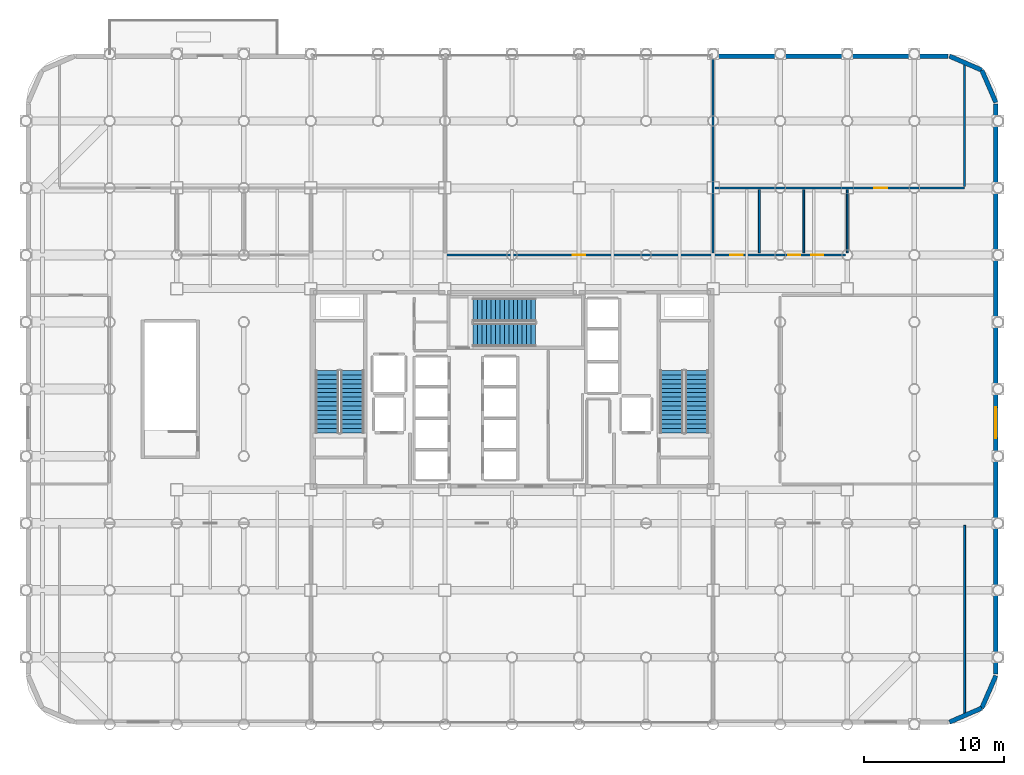
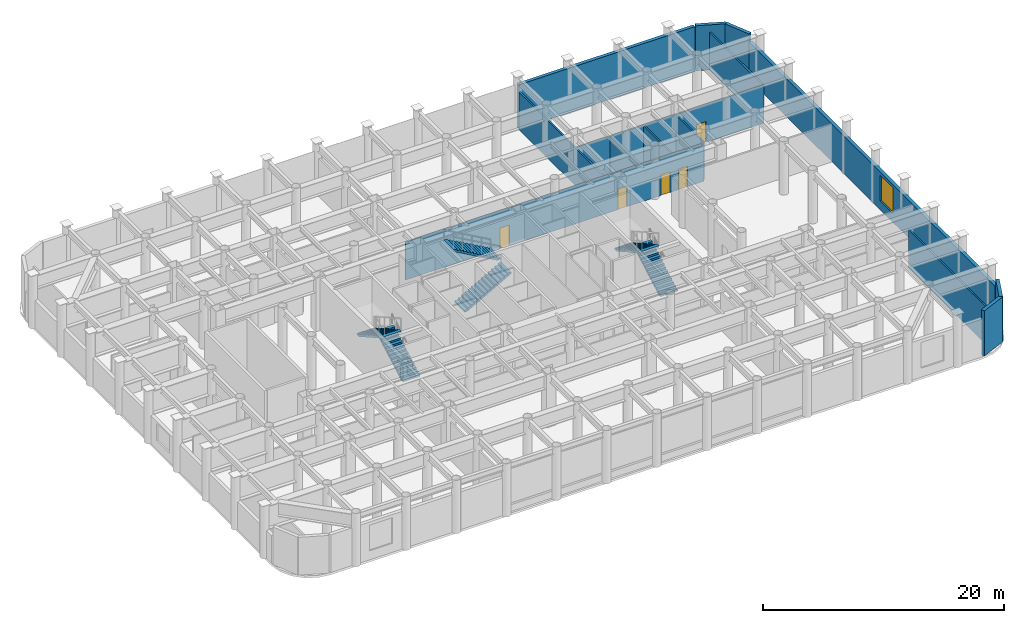
# One storey, part 17 of 20: 14 walls, 6 stair flights, 5 doors, 1 window, 6 openings, 3 elements without a shape of their own.
"""IFC4 building model written with IfcOpenShell, lengths in metres."""

from ifc_helpers import new_model, si_unit, direction, frame, frame_2d, origin, place, context, subcontext, project, spatial, polyline, rectangle, outline, extrude, material, layer, layer_set, type_object, element, fill, aggregate, save


model = new_model("IFC4")

# Units and contexts
model_context = context("Model", 3, precision=1e-05, world=origin(), true_north=direction((0.0, 1.0)))
body_context = subcontext(model_context, "Body", "Model", "MODEL_VIEW")
ifc_project = project(units=[si_unit("LENGTHUNIT", "METRE"), si_unit("AREAUNIT", "SQUARE_METRE"), si_unit("VOLUMEUNIT", "CUBIC_METRE"), si_unit("PLANEANGLEUNIT", "RADIAN"), si_unit("MASSUNIT", "GRAM", prefix="KILO")], contexts=[model_context])

# Site, building, storey
site_placement = place(None, origin())
site = spatial("IfcSite", under=ifc_project, at=site_placement, CompositionType="ELEMENT")
building_placement = place(site_placement, origin())
building = spatial("IfcBuilding", under=site, at=building_placement, Name="Kallvorn Hotel Tower", CompositionType="ELEMENT")
storey_placement = place(building_placement, frame((0.0, 0.0, 24.60009765625)))
storey = spatial("IfcBuildingStorey", under=building, at=storey_placement, Name="L04", CompositionType="ELEMENT", Elevation=24.60009765625)

# Wall
ifc_material_1 = material(Name="Precast basalt-clad insulated concrete wall C40/50", Category="masonry")
ifc_layer_1 = layer(ifc_material_1, 0.320068359375)
ifc_layer_set_1 = layer_set([ifc_layer_1], Name="WL_EXT_BAY_320")
wall_type_1 = type_object("IfcWallType", Name="WL_EXT_BAY_320", PredefinedType="SOLIDWALL", material=ifc_layer_set_1)
wall_1_placement = place(storey_placement, frame((14.35009765625, 23.840087890625, 0.0), z_axis=(0.0, 0.0, 1.0), x_axis=(1.0, 0.0, 0.0)))
element("IfcWall", 1, at=wall_1_placement, inside=storey, type_object=wall_type_1, Name="L04 Podium Exterior Wall EW-L04-NE", PredefinedType="SOLIDWALL", context=body_context, shape_type="SweptSolid", body=[
    extrude(rectangle(XDim=16.849853515625, YDim=0.320068359375, at=frame_2d((8.4248046875, 0.0))), origin(), (0.0, 0.0, 1.0), 4.52001953125),
])

# Wall, opening, window
wall_2_placement = place(storey_placement, frame((34.639892578125, 20.39990234375, 0.0), z_axis=(0.0, 0.0, 1.0), x_axis=(0.0, -1.0, 0.0)))
wall_2 = element("IfcWall", 2, at=wall_2_placement, inside=storey, type_object=wall_type_1, Name="L04 Podium Exterior Wall EW-L04-E", PredefinedType="SOLIDWALL", context=body_context, shape_type="SweptSolid", body=[
    extrude(rectangle(XDim=40.7998046875, YDim=0.320068359375, at=frame_2d((20.39990234375, 0.0))), origin(), (0.0, 0.0, 1.0), 3.81982421875),
])
opening_1_placement = place(wall_2_placement, frame((21.699951171875, 0.0, 0.89990234375)))
opening_1 = element("IfcOpeningElement", 3, at=opening_1_placement, cuts=wall_2, Name="Opening W03", PredefinedType="OPENING", context=body_context, shape_type="SweptSolid", body=[
    extrude(rectangle(XDim=2.199951171875, YDim=2.60009765625, at=frame_2d((1.10009765625, 1.300048828125))), frame((0.0, 0.175048828125, 0.0), z_axis=(0.0, -1.0, 0.0), x_axis=(1.0, 0.0, 0.0)), (0.0, 0.0, 1.0), 0.35009765625),
])
ifc_material_2 = material(Name="Double-glazed low-e solar-control dark glass", Category="glass")
window_type = type_object("IfcWindowType", Name="WN_CASC_2200x2600", PartitioningType="SINGLE_PANEL", PredefinedType="WINDOW", material=ifc_material_2)
window_placement = place(opening_1_placement, origin())
window = element("IfcWindow", 4, at=window_placement, inside=storey, type_object=window_type, Name="L04 Podium Window EW-L04-E", OverallHeight=2.60009765625, OverallWidth=2.199951171875, PartitioningType="SINGLE_PANEL", PredefinedType="WINDOW", context=body_context, shape_type="SweptSolid", body=[
    extrude(rectangle(XDim=2.199951171875, YDim=2.60009765625, at=frame_2d((1.10009765625, 1.300048828125))), frame((0.0, 0.030029296875, 0.0), z_axis=(0.0, -1.0, 0.0), x_axis=(1.0, 0.0, 0.0)), (0.0, 0.0, 1.0), 0.06005859375),
])
fill(opening_1, window)

# Walls
wall_3_placement = place(storey_placement, frame((31.320068359375, -23.837890625, 0.0), z_axis=(0.0, 0.0, 1.0), x_axis=(0.917063898521, 0.3987402739, 0.0)))
element("IfcWall", 5, at=wall_3_placement, inside=storey, type_object=wall_type_1, Name="L04 Rounded Corner Exterior Wall SE1", PredefinedType="SOLIDWALL", context=body_context, shape_type="SweptSolid", body=[
    extrude(rectangle(XDim=2.521484375, YDim=0.320068359375, at=frame_2d((1.2607421875, 0.0))), origin(), (0.0, 0.0, 1.0), 4.56982421875),
])
for number, where, z_axis, x_axis, name in (
    (6, (33.63232421875, -22.83251953125, 0.0), (0.0, 0.0, 1.0), (0.398786293654, 0.917043887714, 0.0), "L04 Rounded Corner Exterior Wall SE2"),
    (7, (34.637939453125, 20.52001953125, 0.0), (0.0, 0.0, 1.0), (-0.398786293654, 0.917043887714, 0.0), "L04 Rounded Corner Exterior Wall NE1"),
):
    element("IfcWall", number, at=place(storey_placement, frame(where, z_axis=z_axis, x_axis=x_axis)), inside=storey, type_object=wall_type_1, Name=name, PredefinedType="SOLIDWALL", context=body_context, shape_type="SweptSolid", body=[
        extrude(rectangle(XDim=2.521728515625, YDim=0.320068359375, at=frame_2d((1.2607421875, 0.0))), origin(), (0.0, 0.0, 1.0), 4.56982421875),
    ])
wall_4_placement = place(storey_placement, frame((33.63232421875, 22.83251953125, 0.0), z_axis=(0.0, 0.0, 1.0), x_axis=(-0.917063898521, 0.3987402739, 0.0)))
element("IfcWall", 8, at=wall_4_placement, inside=storey, type_object=wall_type_1, Name="L04 Rounded Corner Exterior Wall NE2", PredefinedType="SOLIDWALL", context=body_context, shape_type="SweptSolid", body=[
    extrude(rectangle(XDim=2.521484375, YDim=0.320068359375, at=frame_2d((1.2607421875, 0.0))), origin(), (0.0, 0.0, 1.0), 4.56982421875),
])

# Wall, openings, doors
ifc_material_3 = material(Name="Fire-rated double-layer acoustic gypsum drywall EI 60")
ifc_layer_2 = layer(ifc_material_3, 0.14990234375)
ifc_layer_set_2 = layer_set([ifc_layer_2], Name="WL_PART_150")
wall_type_2 = type_object("IfcWallType", Name="WL_PART_150", PredefinedType="PARTITIONING", material=ifc_layer_set_2)
wall_5_placement = place(storey_placement, frame((-4.679931640625, 9.60009765625, 0.0), z_axis=(0.0, 0.0, 1.0), x_axis=(1.0, 0.0, 0.0)))
wall_5 = element("IfcWall", 9, at=wall_5_placement, inside=storey, type_object=wall_type_2, Name="L04 Yoga and Movement Gymnasium Partition", PredefinedType="PARTITIONING", context=body_context, shape_type="SweptSolid", body=[
    extrude(rectangle(XDim=28.559814453125, YDim=0.14990234375, at=frame_2d((14.27978515625, 0.0))), origin(), (0.0, 0.0, 1.0), 3.81982421875),
])
opening_2_placement = place(wall_5_placement, frame((9.030029296875, 0.0, 0.0)))
opening_2 = element("IfcOpeningElement", 10, at=opening_2_placement, cuts=wall_5, Name="Opening SVD1", PredefinedType="OPENING", context=body_context, shape_type="SweptSolid", body=[
    extrude(rectangle(XDim=0.89990234375, YDim=2.10009765625, at=frame_2d((0.449951171875, 1.050048828125))), frame((0.0, 0.08984375, 0.0), z_axis=(0.0, -1.0, 0.0), x_axis=(1.0, 0.0, 0.0)), (0.0, 0.0, 1.0), 0.179931640625),
])
opening_3_placement = place(wall_5_placement, frame((20.321044921875, 0.0, 0.0)))
opening_3 = element("IfcOpeningElement", 11, at=opening_3_placement, cuts=wall_5, Name="Opening BD-I", PredefinedType="OPENING", context=body_context, shape_type="SweptSolid", body=[
    extrude(rectangle(XDim=0.860107421875, YDim=2.10009765625, at=frame_2d((0.43017578125, 1.050048828125))), frame((0.0, 0.08984375, 0.0), z_axis=(0.0, -1.0, 0.0), x_axis=(1.0, 0.0, 0.0)), (0.0, 0.0, 1.0), 0.179931640625),
])
opening_4_placement = place(wall_5_placement, frame((24.465087890625, 0.0, 0.0)))
opening_4 = element("IfcOpeningElement", 12, at=opening_4_placement, cuts=wall_5, Name="Opening BD-I", PredefinedType="OPENING", context=body_context, shape_type="SweptSolid", body=[
    extrude(rectangle(XDim=0.860107421875, YDim=2.10009765625, at=frame_2d((0.43017578125, 1.050048828125))), frame((0.0, 0.08984375, 0.0), z_axis=(0.0, -1.0, 0.0), x_axis=(1.0, 0.0, 0.0)), (0.0, 0.0, 1.0), 0.179931640625),
])
opening_5_placement = place(wall_5_placement, frame((26.1005859375, 0.0, 0.0)))
opening_5 = element("IfcOpeningElement", 13, at=opening_5_placement, cuts=wall_5, Name="Opening BD-I", PredefinedType="OPENING", context=body_context, shape_type="SweptSolid", body=[
    extrude(rectangle(XDim=0.860107421875, YDim=2.10009765625, at=frame_2d((0.43017578125, 1.050048828125))), frame((0.0, 0.08984375, 0.0), z_axis=(0.0, -1.0, 0.0), x_axis=(1.0, 0.0, 0.0)), (0.0, 0.0, 1.0), 0.179931640625),
])
ifc_material_4 = material(Name="Solid-core walnut veneer fire-rated timber door leaf", Category="wood")
door_type_1 = type_object("IfcDoorType", Name="DR_BATH_860x2100", OperationType="NOTDEFINED", PredefinedType="DOOR", material=ifc_material_4)
door_1_placement = place(opening_3_placement, origin())
door_1 = element("IfcDoor", 14, at=door_1_placement, inside=storey, type_object=door_type_1, Name="L04 Public Male Restroom WC Door", OperationType="SINGLE_SWING_RIGHT", OverallHeight=2.10009765625, OverallWidth=0.860107421875, PredefinedType="DOOR", context=body_context, shape_type="SweptSolid", body=[
    extrude(rectangle(XDim=0.860107421875, YDim=2.10009765625, at=frame_2d((0.43017578125, 1.050048828125))), frame((0.0, 0.02490234375, 0.0), z_axis=(0.0, -1.0, 0.0), x_axis=(1.0, 0.0, 0.0)), (0.0, 0.0, 1.0), 0.050048828125),
])
fill(opening_3, door_1)
door_2_placement = place(opening_4_placement, origin())
door_2 = element("IfcDoor", 15, at=door_2_placement, inside=storey, type_object=door_type_1, Name="L04 Public Female Restroom WC Door", OperationType="SINGLE_SWING_LEFT", OverallHeight=2.10009765625, OverallWidth=0.860107421875, PredefinedType="DOOR", context=body_context, shape_type="SweptSolid", body=[
    extrude(rectangle(XDim=0.860107421875, YDim=2.10009765625, at=frame_2d((0.43017578125, 1.050048828125))), frame((0.0, 0.02490234375, 0.0), z_axis=(0.0, -1.0, 0.0), x_axis=(1.0, 0.0, 0.0)), (0.0, 0.0, 1.0), 0.050048828125),
])
fill(opening_4, door_2)
door_3_placement = place(opening_5_placement, origin())
door_3 = element("IfcDoor", 16, at=door_3_placement, inside=storey, type_object=door_type_1, Name="L04 Accessible Restroom WC Door", OperationType="SINGLE_SWING_RIGHT", OverallHeight=2.10009765625, OverallWidth=0.860107421875, PredefinedType="DOOR", context=body_context, shape_type="SweptSolid", body=[
    extrude(rectangle(XDim=0.860107421875, YDim=2.10009765625, at=frame_2d((0.43017578125, 1.050048828125))), frame((0.0, 0.02490234375, 0.0), z_axis=(0.0, -1.0, 0.0), x_axis=(1.0, 0.0, 0.0)), (0.0, 0.0, 1.0), 0.050048828125),
])
fill(opening_5, door_3)
ifc_material_5 = material(Name="Galvanised painted steel fire-rated door assembly", Category="steel")
door_type_2 = type_object("IfcDoorType", Name="DR_SERV_900x2100", OperationType="NOTDEFINED", PredefinedType="DOOR", material=ifc_material_5)
door_4_placement = place(opening_2_placement, origin())
door_4 = element("IfcDoor", 17, at=door_4_placement, inside=storey, type_object=door_type_2, Name="L04 Yoga and Movement Gymnasium Door", OperationType="SINGLE_SWING_RIGHT", OverallHeight=2.10009765625, OverallWidth=0.89990234375, PredefinedType="DOOR", context=body_context, shape_type="SweptSolid", body=[
    extrude(rectangle(XDim=0.89990234375, YDim=2.10009765625, at=frame_2d((0.449951171875, 1.050048828125))), frame((0.0, 0.02490234375, 0.0), z_axis=(0.0, -1.0, 0.0), x_axis=(1.0, 0.0, 0.0)), (0.0, 0.0, 1.0), 0.050048828125),
])
fill(opening_2, door_4)

# Wall, opening, door
wall_6_placement = place(storey_placement, frame((14.52001953125, 14.39990234375, 0.0), z_axis=(0.0, 0.0, 1.0), x_axis=(1.0, 0.0, 0.0)))
wall_6 = element("IfcWall", 18, at=wall_6_placement, inside=storey, type_object=wall_type_2, Name="L04 Spa Linen and Aromatherapy Store Partition", PredefinedType="PARTITIONING", context=body_context, shape_type="SweptSolid", body=[
    extrude(rectangle(XDim=17.8798828125, YDim=0.14990234375, at=frame_2d((8.93994140625, 0.0))), origin(), (0.0, 0.0, 1.0), 3.81982421875),
])
opening_6_placement = place(wall_6_placement, frame((11.429931640625, 0.0, 0.0)))
opening_6 = element("IfcOpeningElement", 19, at=opening_6_placement, cuts=wall_6, Name="Opening SVD1", PredefinedType="OPENING", context=body_context, shape_type="SweptSolid", body=[
    extrude(rectangle(XDim=0.89990234375, YDim=2.10009765625, at=frame_2d((0.449951171875, 1.050048828125))), frame((0.0, 0.08984375, 0.0), z_axis=(0.0, -1.0, 0.0), x_axis=(1.0, 0.0, 0.0)), (0.0, 0.0, 1.0), 0.179931640625),
])
door_5_placement = place(opening_6_placement, origin())
door_5 = element("IfcDoor", 20, at=door_5_placement, inside=storey, type_object=door_type_2, Name="L04 Spa Linen and Aromatherapy Store Door", OperationType="SINGLE_SWING_LEFT", OverallHeight=2.10009765625, OverallWidth=0.89990234375, PredefinedType="DOOR", context=body_context, shape_type="SweptSolid", body=[
    extrude(rectangle(XDim=0.89990234375, YDim=2.10009765625, at=frame_2d((0.449951171875, 1.050048828125))), frame((0.0, 0.02490234375, 0.0), z_axis=(0.0, -1.0, 0.0), x_axis=(1.0, 0.0, 0.0)), (0.0, 0.0, 1.0), 0.050048828125),
])
fill(opening_6, door_5)

# Walls
wall_7_placement = place(storey_placement, frame((14.39990234375, 9.75, 0.0), z_axis=(0.0, 0.0, 1.0), x_axis=(0.0, 1.0, 0.0)))
element("IfcWall", 21, at=wall_7_placement, inside=storey, type_object=wall_type_2, Name="L04 Yoga and Movement Gymnasium Partition", PredefinedType="PARTITIONING", context=body_context, shape_type="SweptSolid", body=[
    extrude(rectangle(XDim=13.919921875, YDim=0.14990234375, at=frame_2d((6.9599609375, 0.0))), origin(), (0.0, 0.0, 1.0), 3.81982421875),
])
wall_8_placement = place(storey_placement, frame((32.39990234375, 14.52001953125, 0.0), z_axis=(0.0, 0.0, 1.0), x_axis=(0.0, 1.0, 0.0)))
element("IfcWall", 22, at=wall_8_placement, inside=storey, type_object=wall_type_2, Name="L04 Spa Linen and Aromatherapy Store Partition", PredefinedType="PARTITIONING", context=body_context, shape_type="SweptSolid", body=[
    extrude(rectangle(XDim=8.67822265625, YDim=0.14990234375, at=frame_2d((4.339111328125, 0.0))), origin(), (0.0, 0.0, 1.0), 3.81982421875),
])
ifc_material_6 = material(Name="Moisture-resistant acoustic plumbing chase wall EI 60")
ifc_layer_3 = layer(ifc_material_6, 0.139892578125)
ifc_layer_set_3 = layer_set([ifc_layer_3], Name="WL_PLUMB_140")
wall_type_3 = type_object("IfcWallType", Name="WL_PLUMB_140", PredefinedType="PLUMBINGWALL", material=ifc_layer_set_3)
for number, where, z_axis, x_axis, name in (
    (23, (17.701904296875, 9.75, 0.0), (0.0, 0.0, 1.0), (0.0, 1.0, 0.0), "L04 Public Female Restroom WC Partition"),
    (24, (20.885009765625, 9.75, 0.0), (0.0, 0.0, 1.0), (0.0, 1.0, 0.0), "L04 Accessible Restroom WC Partition"),
    (25, (24.0, 9.75, 0.0), (0.0, 0.0, 1.0), (0.0, 1.0, 0.0), "L04 Accessible Restroom WC Partition"),
):
    element("IfcWall", number, at=place(storey_placement, frame(where, z_axis=z_axis, x_axis=x_axis)), inside=storey, type_object=wall_type_3, Name=name, PredefinedType="PLUMBINGWALL", context=body_context, shape_type="SweptSolid", body=[
        extrude(rectangle(XDim=4.530029296875, YDim=0.139892578125, at=frame_2d((2.26513671875, 0.0))), origin(), (0.0, 0.0, 1.0), 3.81982421875),
    ])
wall_9_placement = place(storey_placement, frame((32.39990234375, -23.1982421875, 0.0), z_axis=(0.0, 0.0, 1.0), x_axis=(0.0, 1.0, 0.0)))
element("IfcWall", 26, at=wall_9_placement, inside=storey, type_object=wall_type_3, Name="L04 Thermal Sauna and Steam Changing Block Partition", PredefinedType="PLUMBINGWALL", context=body_context, shape_type="SweptSolid", body=[
    extrude(rectangle(XDim=13.4482421875, YDim=0.139892578125, at=frame_2d((6.72412109375, 0.0))), origin(), (0.0, 0.0, 1.0), 3.81982421875),
])

# Stair, stair flights
ifc_material_7 = material(Name="Precast concrete C40/50", Category="concrete")
stair_type = type_object("IfcStairType", Name="STR_CORE_DOGLEG", PredefinedType="HALF_TURN_STAIR", material=ifc_material_7)
stair_1_placement = place(storey_placement, origin())
stair_1 = element("IfcStair", 27, at=stair_1_placement, inside=storey, type_object=stair_type, Name="L04 Exit stair ST1", PredefinedType="HALF_TURN_STAIR")
ifc_material_8 = material(Name="Precast concrete C40/50", Category="concrete")
stair_flight_type = type_object("IfcStairFlightType", Name="FLT_CORE_1660", PredefinedType="STRAIGHT", material=ifc_material_8)
stair_flight_1_placement = place(storey_placement, frame((-11.429931640625, -3.139892578125, 0.0), z_axis=(0.0, 0.0, 1.0), x_axis=(0.0, 1.0, 0.0)))
stair_flight_1 = element("IfcStairFlight", 28, at=stair_flight_1_placement, type_object=stair_flight_type, Name="ST1 flight 1", NumberOfRisers=15, NumberOfTreads=14, PredefinedType="STRAIGHT", RiserHeight=0.18, TreadLength=0.32, context=body_context, shape_type="SweptSolid", body=[
    extrude(outline(polyline([(0.0, 0.0), (0.0, 0.179931640625), (0.320068359375, 0.179931640625), (0.320068359375, 0.360107421875), (0.639892578125, 0.360107421875), (0.639892578125, 0.5400390625), (0.9599609375, 0.5400390625), (0.9599609375, 0.719970703125), (1.280029296875, 0.719970703125), (1.280029296875, 0.89990234375), (1.60009765625, 0.89990234375), (1.60009765625, 1.080078125), (1.919921875, 1.080078125), (1.919921875, 1.260009765625), (2.239990234375, 1.260009765625), (2.239990234375, 1.43994140625), (2.56005859375, 1.43994140625), (2.56005859375, 1.6201171875), (2.8798828125, 1.6201171875), (2.8798828125, 1.800048828125), (3.199951171875, 1.800048828125), (3.199951171875, 1.97998046875), (3.52001953125, 1.97998046875), (3.52001953125, 2.159912109375), (3.840087890625, 2.159912109375), (3.840087890625, 2.340087890625), (4.159912109375, 2.340087890625), (4.159912109375, 2.52001953125), (4.47998046875, 2.52001953125), (4.47998046875, 2.699951171875), (4.47998046875, 2.347900390625), (0.3056640625, 0.0), (0.0, 0.0)])), frame((0.0, 0.830078125, 0.0), z_axis=(0.0, -1.0, 0.0), x_axis=(1.0, 0.0, 0.0)), (0.0, 0.0, 1.0), 1.659912109375),
])
stair_flight_2_placement = place(storey_placement, frame((-13.22998046875, 1.340087890625, 2.699951171875), z_axis=(0.0, 0.0, 1.0), x_axis=(0.0, -1.0, 0.0)))
stair_flight_2 = element("IfcStairFlight", 29, at=stair_flight_2_placement, type_object=stair_flight_type, Name="ST1 flight 2", NumberOfRisers=15, NumberOfTreads=14, PredefinedType="STRAIGHT", RiserHeight=0.18, TreadLength=0.32, context=body_context, shape_type="SweptSolid", body=[
    extrude(outline(polyline([(0.0, 0.0), (0.0, 0.179931640625), (0.320068359375, 0.179931640625), (0.320068359375, 0.360107421875), (0.639892578125, 0.360107421875), (0.639892578125, 0.5400390625), (0.9599609375, 0.5400390625), (0.9599609375, 0.719970703125), (1.280029296875, 0.719970703125), (1.280029296875, 0.89990234375), (1.60009765625, 0.89990234375), (1.60009765625, 1.080078125), (1.919921875, 1.080078125), (1.919921875, 1.260009765625), (2.239990234375, 1.260009765625), (2.239990234375, 1.43994140625), (2.56005859375, 1.43994140625), (2.56005859375, 1.6201171875), (2.8798828125, 1.6201171875), (2.8798828125, 1.800048828125), (3.199951171875, 1.800048828125), (3.199951171875, 1.97998046875), (3.52001953125, 1.97998046875), (3.52001953125, 2.159912109375), (3.840087890625, 2.159912109375), (3.840087890625, 2.340087890625), (4.159912109375, 2.340087890625), (4.159912109375, 2.52001953125), (4.47998046875, 2.52001953125), (4.47998046875, 2.699951171875), (4.47998046875, 2.347900390625), (0.3056640625, 0.0), (0.0, 0.0)])), frame((0.0, 0.830078125, 0.0), z_axis=(0.0, -1.0, 0.0), x_axis=(1.0, 0.0, 0.0)), (0.0, 0.0, 1.0), 1.659912109375),
])
aggregate(stair_1, [stair_flight_1, stair_flight_2])

stair_2_placement = place(storey_placement, origin())
stair_2 = element("IfcStair", 30, at=stair_2_placement, inside=storey, type_object=stair_type, Name="L04 Exit stair ST2", PredefinedType="HALF_TURN_STAIR")
stair_flight_3_placement = place(storey_placement, frame((13.22998046875, -3.139892578125, 0.0), z_axis=(0.0, 0.0, 1.0), x_axis=(0.0, 1.0, 0.0)))
stair_flight_3 = element("IfcStairFlight", 31, at=stair_flight_3_placement, type_object=stair_flight_type, Name="ST2 flight 1", NumberOfRisers=15, NumberOfTreads=14, PredefinedType="STRAIGHT", RiserHeight=0.18, TreadLength=0.32, context=body_context, shape_type="SweptSolid", body=[
    extrude(outline(polyline([(0.0, 0.0), (0.0, 0.179931640625), (0.320068359375, 0.179931640625), (0.320068359375, 0.360107421875), (0.639892578125, 0.360107421875), (0.639892578125, 0.5400390625), (0.9599609375, 0.5400390625), (0.9599609375, 0.719970703125), (1.280029296875, 0.719970703125), (1.280029296875, 0.89990234375), (1.60009765625, 0.89990234375), (1.60009765625, 1.080078125), (1.919921875, 1.080078125), (1.919921875, 1.260009765625), (2.239990234375, 1.260009765625), (2.239990234375, 1.43994140625), (2.56005859375, 1.43994140625), (2.56005859375, 1.6201171875), (2.8798828125, 1.6201171875), (2.8798828125, 1.800048828125), (3.199951171875, 1.800048828125), (3.199951171875, 1.97998046875), (3.52001953125, 1.97998046875), (3.52001953125, 2.159912109375), (3.840087890625, 2.159912109375), (3.840087890625, 2.340087890625), (4.159912109375, 2.340087890625), (4.159912109375, 2.52001953125), (4.47998046875, 2.52001953125), (4.47998046875, 2.699951171875), (4.47998046875, 2.347900390625), (0.3056640625, 0.0), (0.0, 0.0)])), frame((0.0, 0.830078125, 0.0), z_axis=(0.0, -1.0, 0.0), x_axis=(1.0, 0.0, 0.0)), (0.0, 0.0, 1.0), 1.659912109375),
])
stair_flight_4_placement = place(storey_placement, frame((11.429931640625, 1.340087890625, 2.699951171875), z_axis=(0.0, 0.0, 1.0), x_axis=(0.0, -1.0, 0.0)))
stair_flight_4 = element("IfcStairFlight", 32, at=stair_flight_4_placement, type_object=stair_flight_type, Name="ST2 flight 2", NumberOfRisers=15, NumberOfTreads=14, PredefinedType="STRAIGHT", RiserHeight=0.18, TreadLength=0.32, context=body_context, shape_type="SweptSolid", body=[
    extrude(outline(polyline([(0.0, 0.0), (0.0, 0.179931640625), (0.320068359375, 0.179931640625), (0.320068359375, 0.360107421875), (0.639892578125, 0.360107421875), (0.639892578125, 0.5400390625), (0.9599609375, 0.5400390625), (0.9599609375, 0.719970703125), (1.280029296875, 0.719970703125), (1.280029296875, 0.89990234375), (1.60009765625, 0.89990234375), (1.60009765625, 1.080078125), (1.919921875, 1.080078125), (1.919921875, 1.260009765625), (2.239990234375, 1.260009765625), (2.239990234375, 1.43994140625), (2.56005859375, 1.43994140625), (2.56005859375, 1.6201171875), (2.8798828125, 1.6201171875), (2.8798828125, 1.800048828125), (3.199951171875, 1.800048828125), (3.199951171875, 1.97998046875), (3.52001953125, 1.97998046875), (3.52001953125, 2.159912109375), (3.840087890625, 2.159912109375), (3.840087890625, 2.340087890625), (4.159912109375, 2.340087890625), (4.159912109375, 2.52001953125), (4.47998046875, 2.52001953125), (4.47998046875, 2.699951171875), (4.47998046875, 2.347900390625), (0.3056640625, 0.0), (0.0, 0.0)])), frame((0.0, 0.830078125, 0.0), z_axis=(0.0, -1.0, 0.0), x_axis=(1.0, 0.0, 0.0)), (0.0, 0.0, 1.0), 1.659912109375),
])
aggregate(stair_2, [stair_flight_3, stair_flight_4])

stair_3_placement = place(storey_placement, origin())
stair_3 = element("IfcStair", 33, at=stair_3_placement, inside=storey, type_object=stair_type, Name="L04 Exit stair ST3", PredefinedType="HALF_TURN_STAIR")
stair_flight_5_placement = place(storey_placement, frame((-2.7900390625, 3.8798828125, 0.0), z_axis=(0.0, 0.0, 1.0), x_axis=(1.0, 0.0, 0.0)))
stair_flight_5 = element("IfcStairFlight", 34, at=stair_flight_5_placement, type_object=stair_flight_type, Name="ST3 flight 1", NumberOfRisers=15, NumberOfTreads=14, PredefinedType="STRAIGHT", RiserHeight=0.18, TreadLength=0.32, context=body_context, shape_type="SweptSolid", body=[
    extrude(outline(polyline([(0.0, 0.0), (0.0, 0.179931640625), (0.320068359375, 0.179931640625), (0.320068359375, 0.360107421875), (0.639892578125, 0.360107421875), (0.639892578125, 0.5400390625), (0.9599609375, 0.5400390625), (0.9599609375, 0.719970703125), (1.280029296875, 0.719970703125), (1.280029296875, 0.89990234375), (1.60009765625, 0.89990234375), (1.60009765625, 1.080078125), (1.919921875, 1.080078125), (1.919921875, 1.260009765625), (2.239990234375, 1.260009765625), (2.239990234375, 1.43994140625), (2.56005859375, 1.43994140625), (2.56005859375, 1.6201171875), (2.8798828125, 1.6201171875), (2.8798828125, 1.800048828125), (3.199951171875, 1.800048828125), (3.199951171875, 1.97998046875), (3.52001953125, 1.97998046875), (3.52001953125, 2.159912109375), (3.840087890625, 2.159912109375), (3.840087890625, 2.340087890625), (4.159912109375, 2.340087890625), (4.159912109375, 2.52001953125), (4.47998046875, 2.52001953125), (4.47998046875, 2.699951171875), (4.47998046875, 2.347900390625), (0.3056640625, 0.0), (0.0, 0.0)])), frame((0.0, 0.830078125, 0.0), z_axis=(0.0, -1.0, 0.0), x_axis=(1.0, 0.0, 0.0)), (0.0, 0.0, 1.0), 1.659912109375),
])
stair_flight_6_placement = place(storey_placement, frame((1.68994140625, 5.679931640625, 2.699951171875), z_axis=(0.0, 0.0, 1.0), x_axis=(-1.0, 0.0, 0.0)))
stair_flight_6 = element("IfcStairFlight", 35, at=stair_flight_6_placement, type_object=stair_flight_type, Name="ST3 flight 2", NumberOfRisers=15, NumberOfTreads=14, PredefinedType="STRAIGHT", RiserHeight=0.18, TreadLength=0.32, context=body_context, shape_type="SweptSolid", body=[
    extrude(outline(polyline([(0.0, 0.0), (0.0, 0.179931640625), (0.320068359375, 0.179931640625), (0.320068359375, 0.360107421875), (0.639892578125, 0.360107421875), (0.639892578125, 0.5400390625), (0.9599609375, 0.5400390625), (0.9599609375, 0.719970703125), (1.280029296875, 0.719970703125), (1.280029296875, 0.89990234375), (1.60009765625, 0.89990234375), (1.60009765625, 1.080078125), (1.919921875, 1.080078125), (1.919921875, 1.260009765625), (2.239990234375, 1.260009765625), (2.239990234375, 1.43994140625), (2.56005859375, 1.43994140625), (2.56005859375, 1.6201171875), (2.8798828125, 1.6201171875), (2.8798828125, 1.800048828125), (3.199951171875, 1.800048828125), (3.199951171875, 1.97998046875), (3.52001953125, 1.97998046875), (3.52001953125, 2.159912109375), (3.840087890625, 2.159912109375), (3.840087890625, 2.340087890625), (4.159912109375, 2.340087890625), (4.159912109375, 2.52001953125), (4.47998046875, 2.52001953125), (4.47998046875, 2.699951171875), (4.47998046875, 2.347900390625), (0.3056640625, 0.0), (0.0, 0.0)])), frame((0.0, 0.830078125, 0.0), z_axis=(0.0, -1.0, 0.0), x_axis=(1.0, 0.0, 0.0)), (0.0, 0.0, 1.0), 1.659912109375),
])
aggregate(stair_3, [stair_flight_5, stair_flight_6])

save(model, "model.ifc")
